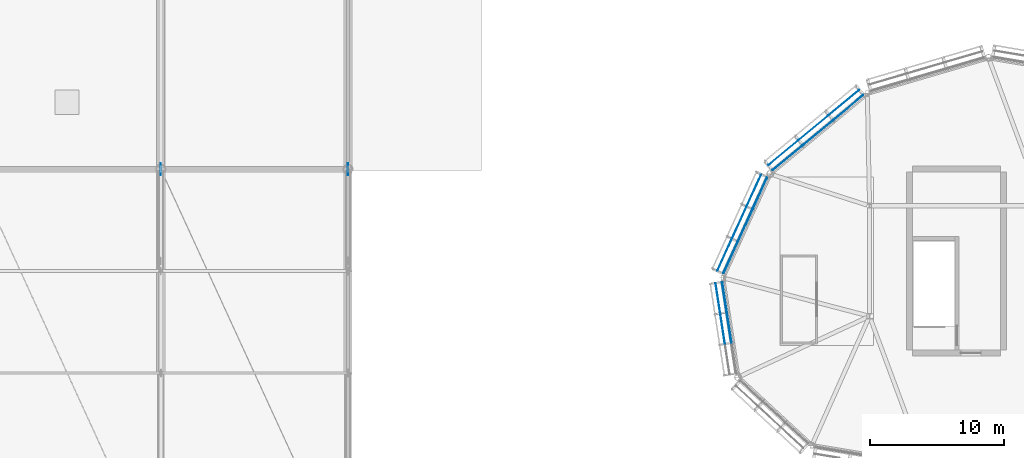
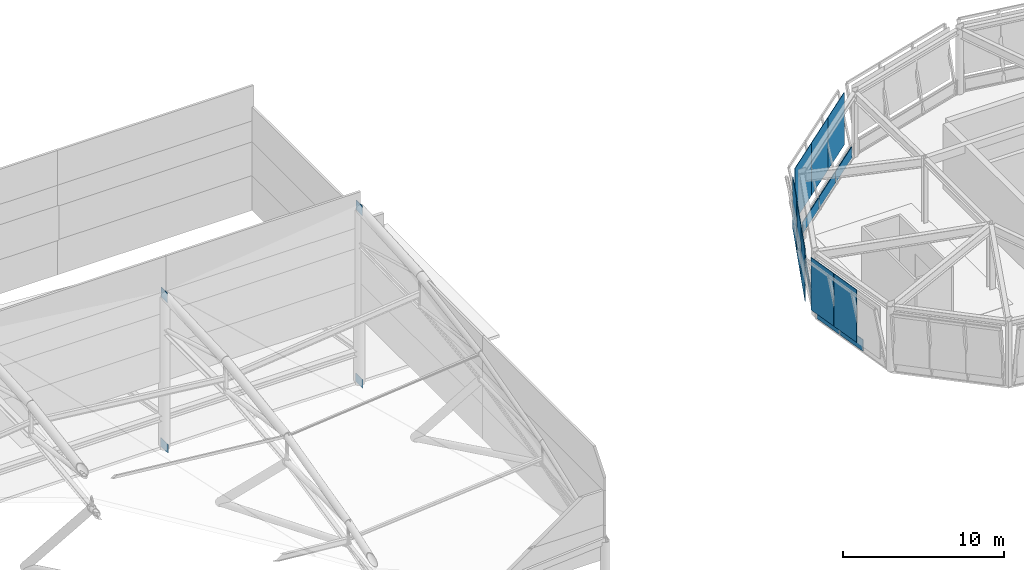
# One storey, part 77 of 113: 20 plates, 3 elements without a shape of their own.
"""IFC4 building model written with IfcOpenShell, lengths in metres."""

from ifc_helpers import new_model, si_unit, direction, frame, origin, origin_2d, place, context, subcontext, project, spatial, rectangle, extrude, material, layer, layer_set, type_object, element, aggregate, save


model = new_model("IFC4")

# Units and contexts
model_context = context("Model", 3, precision=1e-05, world=origin(), true_north=direction((0.0, 1.0)))
body_context = subcontext(model_context, "Body", "Model", "MODEL_VIEW")
ifc_project = project(units=[si_unit("LENGTHUNIT", "METRE"), si_unit("AREAUNIT", "SQUARE_METRE"), si_unit("VOLUMEUNIT", "CUBIC_METRE"), si_unit("PLANEANGLEUNIT", "RADIAN"), si_unit("MASSUNIT", "GRAM", prefix="KILO")], contexts=[model_context])

# Site, building, storey
site_placement = place(None, origin())
site = spatial("IfcSite", under=ifc_project, at=site_placement, CompositionType="ELEMENT")
building_placement = place(site_placement, origin())
building = spatial("IfcBuilding", under=site, at=building_placement, Name="Linyun Crest Stadium", CompositionType="ELEMENT")
storey_placement = place(building_placement, frame((0.0, 0.0, 26.39990234375)))
storey = spatial("IfcBuildingStorey", under=building, at=storey_placement, Name="L06", CompositionType="ELEMENT", Elevation=26.39990234375)

# Plates
ifc_material_1 = material(Name="Steel Q420C", Category="steel")
ifc_layer_1 = layer(ifc_material_1, 0.02392578125)
ifc_layer_set_1 = layer_set([ifc_layer_1], Name="Steel Q420C")
plate_type_1 = type_object("IfcPlateType", Name="EP02", PredefinedType="USERDEFINED", material=ifc_layer_set_1)
for number, where, z_axis, x_axis, name in (
    (1, (14.0, 91.5, 10.97021484375), (0.0, 0.0, 1.0), (0.0, 1.0, 0.0), "Roof mast cap end plate EP02 248"),
    (2, (28.0, 91.5, 12.669921875), (0.0, 0.0, 1.0), (0.0, 1.0, 0.0), "Roof mast cap end plate EP02 261"),
):
    element("IfcPlate", number, at=place(storey_placement, frame(where, z_axis=z_axis, x_axis=x_axis)), inside=storey, type_object=plate_type_1, Name=name, ObjectType="END PLATE", PredefinedType="USERDEFINED", context=body_context, shape_type="SweptSolid", body=[
        extrude(rectangle(XDim=0.760009765625, YDim=0.02392578125, at=origin_2d()), origin(), (0.0, 0.0, 1.0), 0.760009765625),
    ])

# Curtain wall, plates
ifc_material_2 = material(Name="Verdigris steel and low-E curtain wall assembly", Category="steel")
curtain_wall_type = type_object("IfcCurtainWallType", Name="MCW04", PredefinedType="NOTDEFINED", material=ifc_material_2)
curtain_wall_1_placement = place(storey_placement, origin())
curtain_wall_1 = element("IfcCurtainWall", 3, at=curtain_wall_1_placement, inside=storey, type_object=curtain_wall_type, Name="CWR-064", PredefinedType="NOTDEFINED")
ifc_material_3 = material(Name="Acoustic laminated low-E broadcast glass", Category="glass")
ifc_layer_2 = layer(ifc_material_3, 0.030029296875)
ifc_layer_set_2 = layer_set([ifc_layer_2], Name="Acoustic laminated low-E broadcast glass")
plate_type_2 = type_object("IfcPlateType", Name="GP02", PredefinedType="CURTAIN_PANEL", material=ifc_layer_set_2)
plate_1_placement = place(storey_placement, frame((65.093994140625, 96.48291015625, 0.884521484375), z_axis=(0.0, 0.0, 1.0), x_axis=(-0.77024617165, -0.637746685651, 0.0)))
plate_1 = element("IfcPlate", 4, at=plate_1_placement, type_object=plate_type_2, Name="CWR-064 panel 1.2", PredefinedType="CURTAIN_PANEL", context=body_context, shape_type="SweptSolid", body=[
    extrude(rectangle(XDim=2.8984375, YDim=0.030029296875, at=origin_2d()), origin(), (0.0, 0.0, 1.0), 3.9912109375),
])
plate_2_placement = place(storey_placement, frame((62.822998046875, 94.60302734375, 0.884521484375), z_axis=(0.0, 0.0, 1.0), x_axis=(-0.77024617165, -0.637746685651, 0.0)))
plate_2 = element("IfcPlate", 5, at=plate_2_placement, type_object=plate_type_2, Name="CWR-064 panel 2.2", PredefinedType="CURTAIN_PANEL", context=body_context, shape_type="SweptSolid", body=[
    extrude(rectangle(XDim=2.8984375, YDim=0.030029296875, at=origin_2d()), origin(), (0.0, 0.0, 1.0), 3.9912109375),
])
plate_3_placement = place(storey_placement, frame((60.552001953125, 92.721923828125, 0.884521484375), z_axis=(0.0, 0.0, 1.0), x_axis=(-0.77024617165, -0.637746685651, 0.0)))
plate_3 = element("IfcPlate", 6, at=plate_3_placement, type_object=plate_type_2, Name="CWR-064 panel 3.2", PredefinedType="CURTAIN_PANEL", context=body_context, shape_type="SweptSolid", body=[
    extrude(rectangle(XDim=2.8984375, YDim=0.030029296875, at=origin_2d()), origin(), (0.0, 0.0, 1.0), 3.9912109375),
])

curtain_wall_2_placement = place(storey_placement, origin())
curtain_wall_2 = element("IfcCurtainWall", 7, at=curtain_wall_2_placement, inside=storey, type_object=curtain_wall_type, Name="CWR-065", PredefinedType="NOTDEFINED")
plate_4_placement = place(storey_placement, frame((58.35302734375, 89.906005859375, 0.884521484375), z_axis=(0.0, 0.0, 1.0), x_axis=(-0.414566184052, -0.910019164106, 0.0)))
plate_4 = element("IfcPlate", 8, at=plate_4_placement, type_object=plate_type_2, Name="CWR-065 panel 1.2", PredefinedType="CURTAIN_PANEL", context=body_context, shape_type="SweptSolid", body=[
    extrude(rectangle(XDim=2.595458984375, YDim=0.030029296875, at=origin_2d()), origin(), (0.0, 0.0, 1.0), 3.9912109375),
])
plate_5_placement = place(storey_placement, frame((57.257080078125, 87.4990234375, 0.884521484375), z_axis=(0.0, 0.0, 1.0), x_axis=(-0.414566184052, -0.910019164106, 0.0)))
plate_5 = element("IfcPlate", 9, at=plate_5_placement, type_object=plate_type_2, Name="CWR-065 panel 2.2", PredefinedType="CURTAIN_PANEL", context=body_context, shape_type="SweptSolid", body=[
    extrude(rectangle(XDim=2.595458984375, YDim=0.030029296875, at=origin_2d()), origin(), (0.0, 0.0, 1.0), 3.9912109375),
])
plate_6_placement = place(storey_placement, frame((56.159912109375, 85.092041015625, 0.884521484375), z_axis=(0.0, 0.0, 1.0), x_axis=(-0.414566184052, -0.910019164106, 0.0)))
plate_6 = element("IfcPlate", 10, at=plate_6_placement, type_object=plate_type_2, Name="CWR-065 panel 3.2", PredefinedType="CURTAIN_PANEL", context=body_context, shape_type="SweptSolid", body=[
    extrude(rectangle(XDim=2.595458984375, YDim=0.030029296875, at=origin_2d()), origin(), (0.0, 0.0, 1.0), 3.9912109375),
])

curtain_wall_3_placement = place(storey_placement, origin())
curtain_wall_3 = element("IfcCurtainWall", 11, at=curtain_wall_3_placement, inside=storey, type_object=curtain_wall_type, Name="CWR-066", PredefinedType="NOTDEFINED")
plate_7_placement = place(storey_placement, frame((55.6630859375, 81.845947265625, 0.884521484375), z_axis=(0.0, 0.0, 1.0), x_axis=(0.152054385169, -0.988372128275, 0.0)))
plate_7 = element("IfcPlate", 12, at=plate_7_placement, type_object=plate_type_2, Name="CWR-066 panel 1.2", PredefinedType="CURTAIN_PANEL", context=body_context, shape_type="SweptSolid", body=[
    extrude(rectangle(XDim=2.256103515625, YDim=0.030029296875, at=origin_2d()), origin(), (0.0, 0.0, 1.0), 3.9912109375),
])
plate_8_placement = place(storey_placement, frame((56.013916015625, 79.56689453125, 0.884521484375), z_axis=(0.0, 0.0, 1.0), x_axis=(0.152054385169, -0.988372128275, 0.0)))
plate_8 = element("IfcPlate", 13, at=plate_8_placement, type_object=plate_type_2, Name="CWR-066 panel 2.2", PredefinedType="CURTAIN_PANEL", context=body_context, shape_type="SweptSolid", body=[
    extrude(rectangle(XDim=2.256103515625, YDim=0.030029296875, at=origin_2d()), origin(), (0.0, 0.0, 1.0), 3.9912109375),
])

# Plates
ifc_material_4 = material(Name="Steel Q420C", Category="steel")
ifc_layer_3 = layer(ifc_material_4, 0.031982421875)
ifc_layer_set_3 = layer_set([ifc_layer_3], Name="Steel Q420C")
plate_type_3 = type_object("IfcPlateType", Name="NP03", PredefinedType="USERDEFINED", material=ifc_layer_set_3)
for number, where, z_axis, x_axis, name in (
    (14, (14.0, 91.5, -0.389892578125), (0.0, 0.0, 1.0), (0.0, 1.0, 0.0), "Roof mast base gusset plate NP03 249"),
    (15, (28.0, 91.5, -0.389892578125), (0.0, 0.0, 1.0), (0.0, 1.0, 0.0), "Roof mast base gusset plate NP03 262"),
):
    element("IfcPlate", number, at=place(storey_placement, frame(where, z_axis=z_axis, x_axis=x_axis)), inside=storey, type_object=plate_type_3, Name=name, ObjectType="GUSSET PLATE", PredefinedType="USERDEFINED", context=body_context, shape_type="SweptSolid", body=[
        extrude(rectangle(XDim=0.89990234375, YDim=0.031982421875, at=origin_2d()), origin(), (0.0, 0.0, 1.0), 0.64990234375),
    ])

# Plate
ifc_material_5 = material(Name="Verdigris enamelled metal insulated spandrel")
ifc_layer_4 = layer(ifc_material_5, 0.053955078125)
ifc_layer_set_4 = layer_set([ifc_layer_4], Name="Verdigris enamelled metal insulated spandrel")
plate_type_4 = type_object("IfcPlateType", Name="SP03", PredefinedType="SHEET", material=ifc_layer_set_4)
plate_9_placement = place(storey_placement, frame((65.408935546875, 96.10205078125, 0.01611328125), z_axis=(0.0, 0.0, 1.0), x_axis=(-0.77024617165, -0.637746685651, 0.0)))
plate_9 = element("IfcPlate", 16, at=plate_9_placement, type_object=plate_type_4, Name="CWR-064 panel 1.1", PredefinedType="SHEET", context=body_context, shape_type="SweptSolid", body=[
    extrude(rectangle(XDim=2.8984375, YDim=0.053955078125, at=origin_2d()), origin(), (0.0, 0.0, 1.0), 0.868408203125),
])

plate_10_placement = place(storey_placement, frame((63.137939453125, 94.221923828125, 0.01611328125), z_axis=(0.0, 0.0, 1.0), x_axis=(-0.77024617165, -0.637746685651, 0.0)))
plate_10 = element("IfcPlate", 17, at=plate_10_placement, type_object=plate_type_4, Name="CWR-064 panel 2.1", PredefinedType="SHEET", context=body_context, shape_type="SweptSolid", body=[
    extrude(rectangle(XDim=2.8984375, YDim=0.053955078125, at=origin_2d()), origin(), (0.0, 0.0, 1.0), 0.868408203125),
])

plate_11_placement = place(storey_placement, frame((60.866943359375, 92.342041015625, 0.01611328125), z_axis=(0.0, 0.0, 1.0), x_axis=(-0.77024617165, -0.637746685651, 0.0)))
plate_11 = element("IfcPlate", 18, at=plate_11_placement, type_object=plate_type_4, Name="CWR-064 panel 3.1", PredefinedType="SHEET", context=body_context, shape_type="SweptSolid", body=[
    extrude(rectangle(XDim=2.8984375, YDim=0.053955078125, at=origin_2d()), origin(), (0.0, 0.0, 1.0), 0.868408203125),
])

aggregate(curtain_wall_1, [plate_9, plate_1, plate_10, plate_2, plate_11, plate_3])

plate_12_placement = place(storey_placement, frame((58.802978515625, 89.700927734375, 0.01611328125), z_axis=(0.0, 0.0, 1.0), x_axis=(-0.414566184052, -0.910019164106, 0.0)))
plate_12 = element("IfcPlate", 19, at=plate_12_placement, type_object=plate_type_4, Name="CWR-065 panel 1.1", PredefinedType="SHEET", context=body_context, shape_type="SweptSolid", body=[
    extrude(rectangle(XDim=2.595458984375, YDim=0.053955078125, at=origin_2d()), origin(), (0.0, 0.0, 1.0), 0.868408203125),
])

plate_13_placement = place(storey_placement, frame((57.70703125, 87.2939453125, 0.01611328125), z_axis=(0.0, 0.0, 1.0), x_axis=(-0.414566184052, -0.910019164106, 0.0)))
plate_13 = element("IfcPlate", 20, at=plate_13_placement, type_object=plate_type_4, Name="CWR-065 panel 2.1", PredefinedType="SHEET", context=body_context, shape_type="SweptSolid", body=[
    extrude(rectangle(XDim=2.595458984375, YDim=0.053955078125, at=origin_2d()), origin(), (0.0, 0.0, 1.0), 0.868408203125),
])

plate_14_placement = place(storey_placement, frame((56.610107421875, 84.886962890625, 0.01611328125), z_axis=(0.0, 0.0, 1.0), x_axis=(-0.414566184052, -0.910019164106, 0.0)))
plate_14 = element("IfcPlate", 21, at=plate_14_placement, type_object=plate_type_4, Name="CWR-065 panel 3.1", PredefinedType="SHEET", context=body_context, shape_type="SweptSolid", body=[
    extrude(rectangle(XDim=2.595458984375, YDim=0.053955078125, at=origin_2d()), origin(), (0.0, 0.0, 1.0), 0.868408203125),
])

aggregate(curtain_wall_2, [plate_12, plate_4, plate_13, plate_5, plate_14, plate_6])

plate_15_placement = place(storey_placement, frame((56.152099609375, 81.9208984375, 0.01611328125), z_axis=(0.0, 0.0, 1.0), x_axis=(0.152054385169, -0.988372128275, 0.0)))
plate_15 = element("IfcPlate", 22, at=plate_15_placement, type_object=plate_type_4, Name="CWR-066 panel 1.1", PredefinedType="SHEET", context=body_context, shape_type="SweptSolid", body=[
    extrude(rectangle(XDim=2.256103515625, YDim=0.053955078125, at=origin_2d()), origin(), (0.0, 0.0, 1.0), 0.868408203125),
])

plate_16_placement = place(storey_placement, frame((56.5029296875, 79.64208984375, 0.01611328125), z_axis=(0.0, 0.0, 1.0), x_axis=(0.152054385169, -0.988372128275, 0.0)))
plate_16 = element("IfcPlate", 23, at=plate_16_placement, type_object=plate_type_4, Name="CWR-066 panel 2.1", PredefinedType="SHEET", context=body_context, shape_type="SweptSolid", body=[
    extrude(rectangle(XDim=2.256103515625, YDim=0.053955078125, at=origin_2d()), origin(), (0.0, 0.0, 1.0), 0.868408203125),
])

aggregate(curtain_wall_3, [plate_15, plate_7, plate_16, plate_8])

save(model, "model.ifc")
